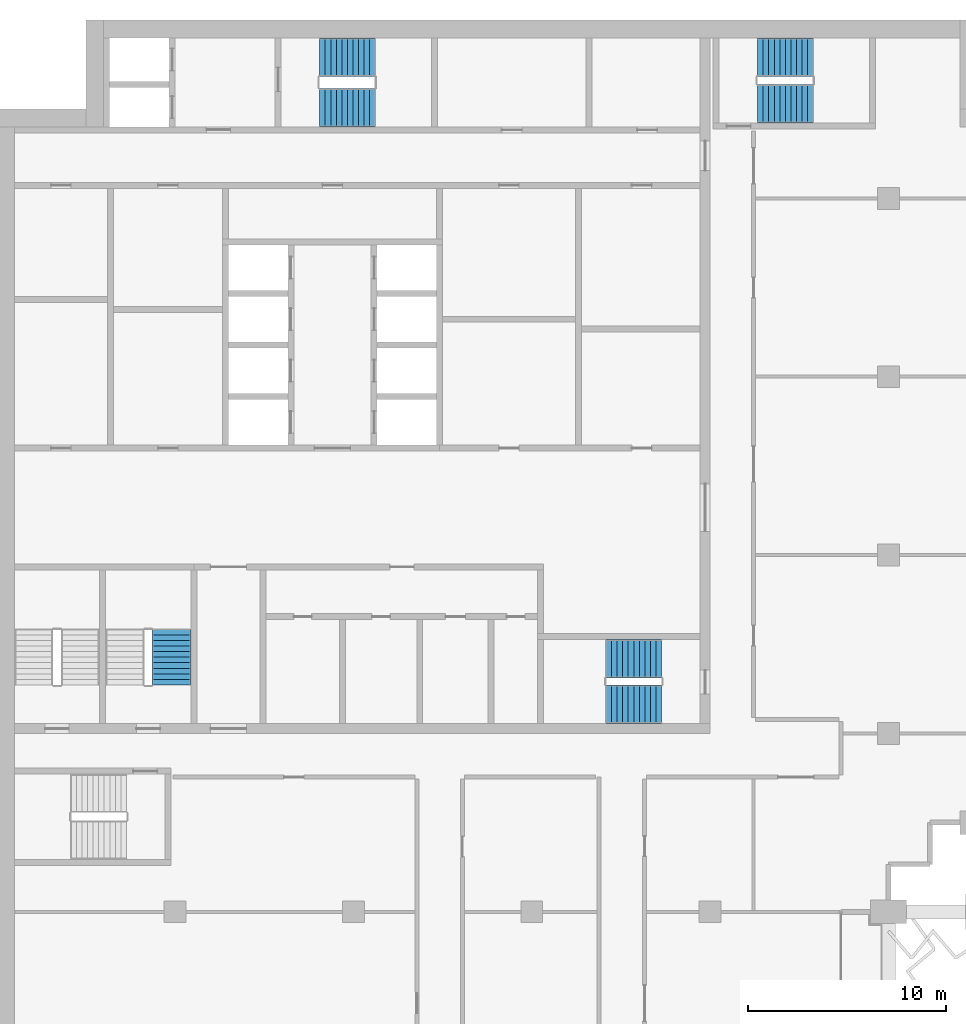
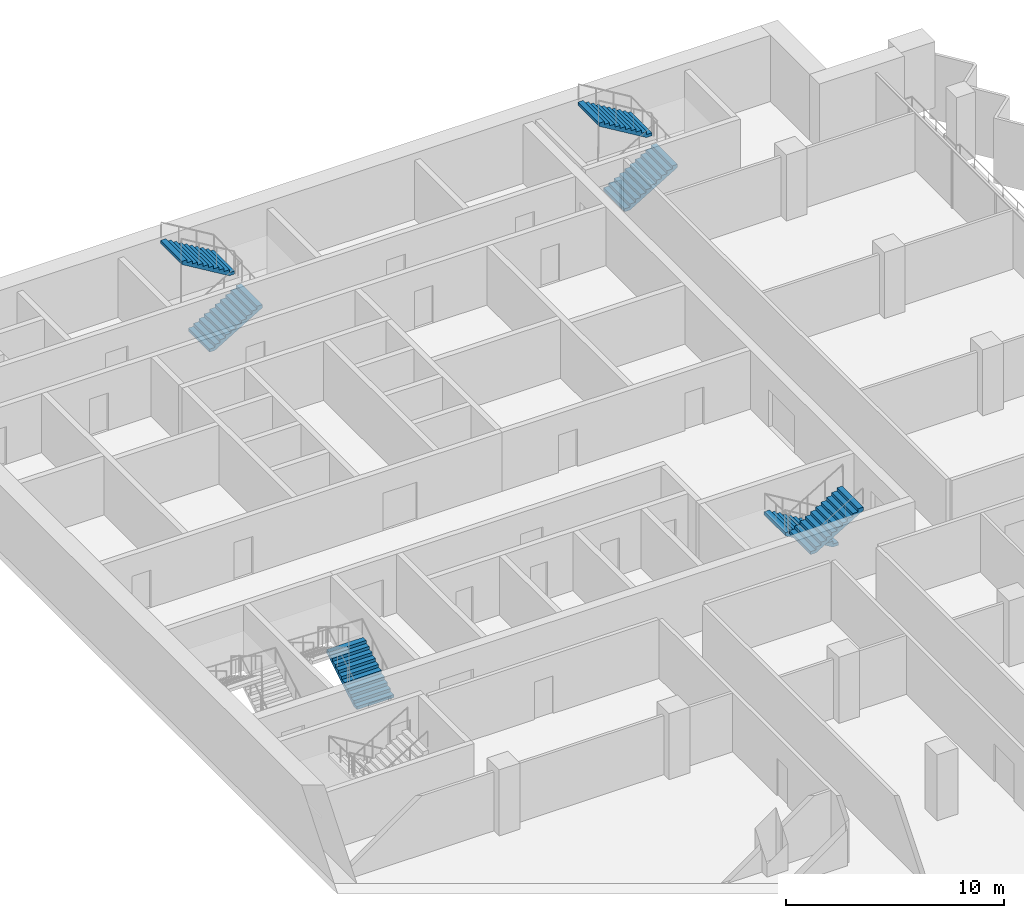
# One storey, part 13 of 17: 7 stair flights, 4 elements without a shape of their own.
"""IFC4 building model written with IfcOpenShell, lengths in metres."""

from ifc_helpers import new_model, si_unit, direction, frame, origin, place, context, subcontext, project, spatial, polyline, outline, extrude, material, type_object, element, aggregate, save


model = new_model("IFC4")

# Units and contexts
model_context = context("Model", 3, precision=1e-05, world=origin(), true_north=direction((0.0, 1.0)))
body_context = subcontext(model_context, "Body", "Model", "MODEL_VIEW")
ifc_project = project(units=[si_unit("LENGTHUNIT", "METRE"), si_unit("AREAUNIT", "SQUARE_METRE"), si_unit("VOLUMEUNIT", "CUBIC_METRE"), si_unit("PLANEANGLEUNIT", "RADIAN"), si_unit("MASSUNIT", "GRAM", prefix="KILO")], contexts=[model_context])

# Site, building, storey
site_placement = place(None, origin())
site = spatial("IfcSite", under=ifc_project, at=site_placement, CompositionType="ELEMENT")
building_placement = place(site_placement, origin())
building = spatial("IfcBuilding", under=site, at=building_placement, Name="Hunhe Ridgeline Campus", CompositionType="ELEMENT")
storey_placement = place(building_placement, frame((0.0, 0.0, 205.0)))
storey = spatial("IfcBuildingStorey", under=building, at=storey_placement, Name="L52", CompositionType="ELEMENT", Elevation=205.0)

# Stair, stair flights
ifc_material = material(Name="Concrete C40", Category="concrete")
stair_type = type_object("IfcStairType", Name="Reinforced concrete dog-leg stair 1950 Concrete C40", PredefinedType="HALF_TURN_STAIR", material=ifc_material)
stair_1_placement = place(storey_placement, origin())
stair_1 = element("IfcStair", 1, at=stair_1_placement, inside=storey, type_object=stair_type, Name="L52 S1", PredefinedType="HALF_TURN_STAIR")
stair_flight_type = type_object("IfcStairFlightType", Name="Reinforced concrete stair flight 1950 Concrete C40", PredefinedType="STRAIGHT", material=ifc_material)
stair_flight_1_placement = place(storey_placement, frame((16.300048828125, 94.574951171875, 0.0), z_axis=(0.0, 0.0, 1.0), x_axis=(1.0, 0.0, 0.0)))
stair_flight_1 = element("IfcStairFlight", 2, at=stair_flight_1_placement, type_object=stair_flight_type, Name="ST1 flight 1", NumberOfRisers=11, NumberOfTreads=10, PredefinedType="STRAIGHT", RiserHeight=0.168181818, TreadLength=0.28, context=body_context, shape_type="SweptSolid", body=[
    extrude(outline(polyline([(0.0, 0.0), (0.0, 0.168212890625), (0.280029296875, 0.168212890625), (0.280029296875, 0.33642578125), (0.56005859375, 0.33642578125), (0.56005859375, 0.504638671875), (0.840087890625, 0.504638671875), (0.840087890625, 0.672607421875), (1.1201171875, 0.672607421875), (1.1201171875, 0.8408203125), (1.39990234375, 0.8408203125), (1.39990234375, 1.009033203125), (1.679931640625, 1.009033203125), (1.679931640625, 1.17724609375), (1.9599609375, 1.17724609375), (1.9599609375, 1.345458984375), (2.239990234375, 1.345458984375), (2.239990234375, 1.513671875), (2.52001953125, 1.513671875), (2.52001953125, 1.681884765625), (2.800048828125, 1.681884765625), (2.800048828125, 1.85009765625), (2.800048828125, 1.5068359375), (0.291015625, 0.0), (0.0, 0.0)])), frame((0.0, 0.97509765625, 0.0), z_axis=(0.0, -1.0, 0.0), x_axis=(1.0, 0.0, 0.0)), (0.0, 0.0, 1.0), 1.949951171875),
    extrude(outline(polyline([(0.030029296875, 0.030029296875), (0.030029296875, 0.13818359375), (0.31005859375, 0.13818359375), (0.31005859375, 0.306396484375), (0.590087890625, 0.306396484375), (0.590087890625, 0.474609375), (0.8701171875, 0.474609375), (0.8701171875, 0.642578125), (1.14990234375, 0.642578125), (1.14990234375, 0.810791015625), (1.429931640625, 0.810791015625), (1.429931640625, 0.97900390625), (1.7099609375, 0.97900390625), (1.7099609375, 1.147216796875), (1.989990234375, 1.147216796875), (1.989990234375, 1.3154296875), (2.27001953125, 1.3154296875), (2.27001953125, 1.483642578125), (2.550048828125, 1.483642578125), (2.550048828125, 1.65185546875), (2.77001953125, 1.65185546875), (2.77001953125, 1.52392578125), (0.28271484375, 0.030029296875), (0.030029296875, 0.030029296875)])), frame((0.0, -0.070068359375, 0.0), z_axis=(0.0, -1.0, 0.0), x_axis=(1.0, 0.0, 0.0)), (0.0, 0.0, 1.0), 0.019775390625),
    extrude(outline(polyline([(0.030029296875, 0.030029296875), (0.030029296875, 0.13818359375), (0.31005859375, 0.13818359375), (0.31005859375, 0.306396484375), (0.590087890625, 0.306396484375), (0.590087890625, 0.474609375), (0.8701171875, 0.474609375), (0.8701171875, 0.642578125), (1.14990234375, 0.642578125), (1.14990234375, 0.810791015625), (1.429931640625, 0.810791015625), (1.429931640625, 0.97900390625), (1.7099609375, 0.97900390625), (1.7099609375, 1.147216796875), (1.989990234375, 1.147216796875), (1.989990234375, 1.3154296875), (2.27001953125, 1.3154296875), (2.27001953125, 1.483642578125), (2.550048828125, 1.483642578125), (2.550048828125, 1.65185546875), (2.77001953125, 1.65185546875), (2.77001953125, 1.52392578125), (0.28271484375, 0.030029296875), (0.030029296875, 0.030029296875)])), frame((0.0, 0.010009765625, 0.0), z_axis=(0.0, -1.0, 0.0), x_axis=(1.0, 0.0, 0.0)), (0.0, 0.0, 1.0), 0.019775390625),
    extrude(outline(polyline([(0.030029296875, 0.030029296875), (0.030029296875, 0.13818359375), (0.31005859375, 0.13818359375), (0.31005859375, 0.306396484375), (0.590087890625, 0.306396484375), (0.590087890625, 0.474609375), (0.8701171875, 0.474609375), (0.8701171875, 0.642578125), (1.14990234375, 0.642578125), (1.14990234375, 0.810791015625), (1.429931640625, 0.810791015625), (1.429931640625, 0.97900390625), (1.7099609375, 0.97900390625), (1.7099609375, 1.147216796875), (1.989990234375, 1.147216796875), (1.989990234375, 1.3154296875), (2.27001953125, 1.3154296875), (2.27001953125, 1.483642578125), (2.550048828125, 1.483642578125), (2.550048828125, 1.65185546875), (2.77001953125, 1.65185546875), (2.77001953125, 1.52392578125), (0.28271484375, 0.030029296875), (0.030029296875, 0.030029296875)])), frame((0.0, 0.090087890625, 0.0), z_axis=(0.0, -1.0, 0.0), x_axis=(1.0, 0.0, 0.0)), (0.0, 0.0, 1.0), 0.019775390625),
])
stair_flight_2_placement = place(storey_placement, frame((19.10009765625, 97.125, 1.85009765625), z_axis=(0.0, 0.0, 1.0), x_axis=(-1.0, 0.0, 0.0)))
stair_flight_2 = element("IfcStairFlight", 3, at=stair_flight_2_placement, type_object=stair_flight_type, Name="ST1 flight 2", NumberOfRisers=11, NumberOfTreads=10, PredefinedType="STRAIGHT", RiserHeight=0.168181818, TreadLength=0.28, context=body_context, shape_type="SweptSolid", body=[
    extrude(outline(polyline([(0.0, 0.0), (0.0, 0.168212890625), (0.280029296875, 0.168212890625), (0.280029296875, 0.33642578125), (0.56005859375, 0.33642578125), (0.56005859375, 0.504638671875), (0.840087890625, 0.504638671875), (0.840087890625, 0.672607421875), (1.1201171875, 0.672607421875), (1.1201171875, 0.8408203125), (1.39990234375, 0.8408203125), (1.39990234375, 1.009033203125), (1.679931640625, 1.009033203125), (1.679931640625, 1.17724609375), (1.9599609375, 1.17724609375), (1.9599609375, 1.345458984375), (2.239990234375, 1.345458984375), (2.239990234375, 1.513671875), (2.52001953125, 1.513671875), (2.52001953125, 1.681884765625), (2.800048828125, 1.681884765625), (2.800048828125, 1.85009765625), (2.800048828125, 1.5068359375), (0.291015625, 0.0), (0.0, 0.0)])), frame((0.0, 0.97509765625, 0.0), z_axis=(0.0, -1.0, 0.0), x_axis=(1.0, 0.0, 0.0)), (0.0, 0.0, 1.0), 1.949951171875),
    extrude(outline(polyline([(0.030029296875, 0.030029296875), (0.030029296875, 0.13818359375), (0.31005859375, 0.13818359375), (0.31005859375, 0.306396484375), (0.590087890625, 0.306396484375), (0.590087890625, 0.474609375), (0.8701171875, 0.474609375), (0.8701171875, 0.642578125), (1.14990234375, 0.642578125), (1.14990234375, 0.810791015625), (1.429931640625, 0.810791015625), (1.429931640625, 0.97900390625), (1.7099609375, 0.97900390625), (1.7099609375, 1.147216796875), (1.989990234375, 1.147216796875), (1.989990234375, 1.3154296875), (2.27001953125, 1.3154296875), (2.27001953125, 1.483642578125), (2.550048828125, 1.483642578125), (2.550048828125, 1.65185546875), (2.77001953125, 1.65185546875), (2.77001953125, 1.52392578125), (0.28271484375, 0.030029296875), (0.030029296875, 0.030029296875)])), frame((0.0, -0.070068359375, 0.0), z_axis=(0.0, -1.0, 0.0), x_axis=(1.0, 0.0, 0.0)), (0.0, 0.0, 1.0), 0.019775390625),
    extrude(outline(polyline([(0.030029296875, 0.030029296875), (0.030029296875, 0.13818359375), (0.31005859375, 0.13818359375), (0.31005859375, 0.306396484375), (0.590087890625, 0.306396484375), (0.590087890625, 0.474609375), (0.8701171875, 0.474609375), (0.8701171875, 0.642578125), (1.14990234375, 0.642578125), (1.14990234375, 0.810791015625), (1.429931640625, 0.810791015625), (1.429931640625, 0.97900390625), (1.7099609375, 0.97900390625), (1.7099609375, 1.147216796875), (1.989990234375, 1.147216796875), (1.989990234375, 1.3154296875), (2.27001953125, 1.3154296875), (2.27001953125, 1.483642578125), (2.550048828125, 1.483642578125), (2.550048828125, 1.65185546875), (2.77001953125, 1.65185546875), (2.77001953125, 1.52392578125), (0.28271484375, 0.030029296875), (0.030029296875, 0.030029296875)])), frame((0.0, 0.010009765625, 0.0), z_axis=(0.0, -1.0, 0.0), x_axis=(1.0, 0.0, 0.0)), (0.0, 0.0, 1.0), 0.019775390625),
    extrude(outline(polyline([(0.030029296875, 0.030029296875), (0.030029296875, 0.13818359375), (0.31005859375, 0.13818359375), (0.31005859375, 0.306396484375), (0.590087890625, 0.306396484375), (0.590087890625, 0.474609375), (0.8701171875, 0.474609375), (0.8701171875, 0.642578125), (1.14990234375, 0.642578125), (1.14990234375, 0.810791015625), (1.429931640625, 0.810791015625), (1.429931640625, 0.97900390625), (1.7099609375, 0.97900390625), (1.7099609375, 1.147216796875), (1.989990234375, 1.147216796875), (1.989990234375, 1.3154296875), (2.27001953125, 1.3154296875), (2.27001953125, 1.483642578125), (2.550048828125, 1.483642578125), (2.550048828125, 1.65185546875), (2.77001953125, 1.65185546875), (2.77001953125, 1.52392578125), (0.28271484375, 0.030029296875), (0.030029296875, 0.030029296875)])), frame((0.0, 0.090087890625, 0.0), z_axis=(0.0, -1.0, 0.0), x_axis=(1.0, 0.0, 0.0)), (0.0, 0.0, 1.0), 0.019775390625),
])
aggregate(stair_1, [stair_flight_1, stair_flight_2])

stair_2_placement = place(storey_placement, origin())
stair_2 = element("IfcStair", 4, at=stair_2_placement, inside=storey, type_object=stair_type, Name="L52 S2", PredefinedType="HALF_TURN_STAIR")
stair_flight_3_placement = place(storey_placement, frame((33.550048828125, 66.77490234375, 0.0), z_axis=(0.0, 0.0, 1.0), x_axis=(-1.0, 0.0, 0.0)))
stair_flight_3 = element("IfcStairFlight", 5, at=stair_flight_3_placement, type_object=stair_flight_type, Name="ST2 flight 1", NumberOfRisers=11, NumberOfTreads=10, PredefinedType="STRAIGHT", RiserHeight=0.168181818, TreadLength=0.28, context=body_context, shape_type="SweptSolid", body=[
    extrude(outline(polyline([(0.0, 0.0), (0.0, 0.168212890625), (0.280029296875, 0.168212890625), (0.280029296875, 0.33642578125), (0.56005859375, 0.33642578125), (0.56005859375, 0.504638671875), (0.840087890625, 0.504638671875), (0.840087890625, 0.672607421875), (1.1201171875, 0.672607421875), (1.1201171875, 0.8408203125), (1.39990234375, 0.8408203125), (1.39990234375, 1.009033203125), (1.679931640625, 1.009033203125), (1.679931640625, 1.17724609375), (1.9599609375, 1.17724609375), (1.9599609375, 1.345458984375), (2.239990234375, 1.345458984375), (2.239990234375, 1.513671875), (2.52001953125, 1.513671875), (2.52001953125, 1.681884765625), (2.800048828125, 1.681884765625), (2.800048828125, 1.85009765625), (2.800048828125, 1.5068359375), (0.291015625, 0.0), (0.0, 0.0)])), frame((0.0, 0.97509765625, 0.0), z_axis=(0.0, -1.0, 0.0), x_axis=(1.0, 0.0, 0.0)), (0.0, 0.0, 1.0), 1.949951171875),
    extrude(outline(polyline([(0.030029296875, 0.030029296875), (0.030029296875, 0.13818359375), (0.31005859375, 0.13818359375), (0.31005859375, 0.306396484375), (0.590087890625, 0.306396484375), (0.590087890625, 0.474609375), (0.8701171875, 0.474609375), (0.8701171875, 0.642578125), (1.14990234375, 0.642578125), (1.14990234375, 0.810791015625), (1.429931640625, 0.810791015625), (1.429931640625, 0.97900390625), (1.7099609375, 0.97900390625), (1.7099609375, 1.147216796875), (1.989990234375, 1.147216796875), (1.989990234375, 1.3154296875), (2.27001953125, 1.3154296875), (2.27001953125, 1.483642578125), (2.550048828125, 1.483642578125), (2.550048828125, 1.65185546875), (2.77001953125, 1.65185546875), (2.77001953125, 1.52392578125), (0.28271484375, 0.030029296875), (0.030029296875, 0.030029296875)])), frame((0.0, -0.070068359375, 0.0), z_axis=(0.0, -1.0, 0.0), x_axis=(1.0, 0.0, 0.0)), (0.0, 0.0, 1.0), 0.019775390625),
    extrude(outline(polyline([(0.030029296875, 0.030029296875), (0.030029296875, 0.13818359375), (0.31005859375, 0.13818359375), (0.31005859375, 0.306396484375), (0.590087890625, 0.306396484375), (0.590087890625, 0.474609375), (0.8701171875, 0.474609375), (0.8701171875, 0.642578125), (1.14990234375, 0.642578125), (1.14990234375, 0.810791015625), (1.429931640625, 0.810791015625), (1.429931640625, 0.97900390625), (1.7099609375, 0.97900390625), (1.7099609375, 1.147216796875), (1.989990234375, 1.147216796875), (1.989990234375, 1.3154296875), (2.27001953125, 1.3154296875), (2.27001953125, 1.483642578125), (2.550048828125, 1.483642578125), (2.550048828125, 1.65185546875), (2.77001953125, 1.65185546875), (2.77001953125, 1.52392578125), (0.28271484375, 0.030029296875), (0.030029296875, 0.030029296875)])), frame((0.0, 0.010009765625, 0.0), z_axis=(0.0, -1.0, 0.0), x_axis=(1.0, 0.0, 0.0)), (0.0, 0.0, 1.0), 0.019775390625),
    extrude(outline(polyline([(0.030029296875, 0.030029296875), (0.030029296875, 0.13818359375), (0.31005859375, 0.13818359375), (0.31005859375, 0.306396484375), (0.590087890625, 0.306396484375), (0.590087890625, 0.474609375), (0.8701171875, 0.474609375), (0.8701171875, 0.642578125), (1.14990234375, 0.642578125), (1.14990234375, 0.810791015625), (1.429931640625, 0.810791015625), (1.429931640625, 0.97900390625), (1.7099609375, 0.97900390625), (1.7099609375, 1.147216796875), (1.989990234375, 1.147216796875), (1.989990234375, 1.3154296875), (2.27001953125, 1.3154296875), (2.27001953125, 1.483642578125), (2.550048828125, 1.483642578125), (2.550048828125, 1.65185546875), (2.77001953125, 1.65185546875), (2.77001953125, 1.52392578125), (0.28271484375, 0.030029296875), (0.030029296875, 0.030029296875)])), frame((0.0, 0.090087890625, 0.0), z_axis=(0.0, -1.0, 0.0), x_axis=(1.0, 0.0, 0.0)), (0.0, 0.0, 1.0), 0.019775390625),
])
stair_flight_4_placement = place(storey_placement, frame((30.75, 64.47509765625, 1.85009765625), z_axis=(0.0, 0.0, 1.0), x_axis=(1.0, 0.0, 0.0)))
stair_flight_4 = element("IfcStairFlight", 6, at=stair_flight_4_placement, type_object=stair_flight_type, Name="ST2 flight 2", NumberOfRisers=11, NumberOfTreads=10, PredefinedType="STRAIGHT", RiserHeight=0.168181818, TreadLength=0.28, context=body_context, shape_type="SweptSolid", body=[
    extrude(outline(polyline([(0.0, 0.0), (0.0, 0.168212890625), (0.280029296875, 0.168212890625), (0.280029296875, 0.33642578125), (0.56005859375, 0.33642578125), (0.56005859375, 0.504638671875), (0.840087890625, 0.504638671875), (0.840087890625, 0.672607421875), (1.1201171875, 0.672607421875), (1.1201171875, 0.8408203125), (1.39990234375, 0.8408203125), (1.39990234375, 1.009033203125), (1.679931640625, 1.009033203125), (1.679931640625, 1.17724609375), (1.9599609375, 1.17724609375), (1.9599609375, 1.345458984375), (2.239990234375, 1.345458984375), (2.239990234375, 1.513671875), (2.52001953125, 1.513671875), (2.52001953125, 1.681884765625), (2.800048828125, 1.681884765625), (2.800048828125, 1.85009765625), (2.800048828125, 1.5068359375), (0.291015625, 0.0), (0.0, 0.0)])), frame((0.0, 0.97509765625, 0.0), z_axis=(0.0, -1.0, 0.0), x_axis=(1.0, 0.0, 0.0)), (0.0, 0.0, 1.0), 1.949951171875),
    extrude(outline(polyline([(0.030029296875, 0.030029296875), (0.030029296875, 0.13818359375), (0.31005859375, 0.13818359375), (0.31005859375, 0.306396484375), (0.590087890625, 0.306396484375), (0.590087890625, 0.474609375), (0.8701171875, 0.474609375), (0.8701171875, 0.642578125), (1.14990234375, 0.642578125), (1.14990234375, 0.810791015625), (1.429931640625, 0.810791015625), (1.429931640625, 0.97900390625), (1.7099609375, 0.97900390625), (1.7099609375, 1.147216796875), (1.989990234375, 1.147216796875), (1.989990234375, 1.3154296875), (2.27001953125, 1.3154296875), (2.27001953125, 1.483642578125), (2.550048828125, 1.483642578125), (2.550048828125, 1.65185546875), (2.77001953125, 1.65185546875), (2.77001953125, 1.52392578125), (0.28271484375, 0.030029296875), (0.030029296875, 0.030029296875)])), frame((0.0, -0.070068359375, 0.0), z_axis=(0.0, -1.0, 0.0), x_axis=(1.0, 0.0, 0.0)), (0.0, 0.0, 1.0), 0.019775390625),
    extrude(outline(polyline([(0.030029296875, 0.030029296875), (0.030029296875, 0.13818359375), (0.31005859375, 0.13818359375), (0.31005859375, 0.306396484375), (0.590087890625, 0.306396484375), (0.590087890625, 0.474609375), (0.8701171875, 0.474609375), (0.8701171875, 0.642578125), (1.14990234375, 0.642578125), (1.14990234375, 0.810791015625), (1.429931640625, 0.810791015625), (1.429931640625, 0.97900390625), (1.7099609375, 0.97900390625), (1.7099609375, 1.147216796875), (1.989990234375, 1.147216796875), (1.989990234375, 1.3154296875), (2.27001953125, 1.3154296875), (2.27001953125, 1.483642578125), (2.550048828125, 1.483642578125), (2.550048828125, 1.65185546875), (2.77001953125, 1.65185546875), (2.77001953125, 1.52392578125), (0.28271484375, 0.030029296875), (0.030029296875, 0.030029296875)])), frame((0.0, 0.010009765625, 0.0), z_axis=(0.0, -1.0, 0.0), x_axis=(1.0, 0.0, 0.0)), (0.0, 0.0, 1.0), 0.019775390625),
    extrude(outline(polyline([(0.030029296875, 0.030029296875), (0.030029296875, 0.13818359375), (0.31005859375, 0.13818359375), (0.31005859375, 0.306396484375), (0.590087890625, 0.306396484375), (0.590087890625, 0.474609375), (0.8701171875, 0.474609375), (0.8701171875, 0.642578125), (1.14990234375, 0.642578125), (1.14990234375, 0.810791015625), (1.429931640625, 0.810791015625), (1.429931640625, 0.97900390625), (1.7099609375, 0.97900390625), (1.7099609375, 1.147216796875), (1.989990234375, 1.147216796875), (1.989990234375, 1.3154296875), (2.27001953125, 1.3154296875), (2.27001953125, 1.483642578125), (2.550048828125, 1.483642578125), (2.550048828125, 1.65185546875), (2.77001953125, 1.65185546875), (2.77001953125, 1.52392578125), (0.28271484375, 0.030029296875), (0.030029296875, 0.030029296875)])), frame((0.0, 0.090087890625, 0.0), z_axis=(0.0, -1.0, 0.0), x_axis=(1.0, 0.0, 0.0)), (0.0, 0.0, 1.0), 0.019775390625),
])
aggregate(stair_2, [stair_flight_3, stair_flight_4])

# Stair, stair flight
stair_3_placement = place(storey_placement, origin())
stair_3 = element("IfcStair", 7, at=stair_3_placement, inside=storey, type_object=stair_type, Name="L52 S4", PredefinedType="HALF_TURN_STAIR")
stair_flight_5_placement = place(storey_placement, frame((8.824951171875, 65.449951171875, 0.0), z_axis=(0.0, 0.0, 1.0), x_axis=(0.0, 1.0, 0.0)))
stair_flight_5 = element("IfcStairFlight", 8, at=stair_flight_5_placement, type_object=stair_flight_type, Name="ST4 flight 1", NumberOfRisers=11, NumberOfTreads=10, PredefinedType="STRAIGHT", RiserHeight=0.168181818, TreadLength=0.28, context=body_context, shape_type="SweptSolid", body=[
    extrude(outline(polyline([(0.0, 0.0), (0.0, 0.168212890625), (0.280029296875, 0.168212890625), (0.280029296875, 0.33642578125), (0.56005859375, 0.33642578125), (0.56005859375, 0.504638671875), (0.840087890625, 0.504638671875), (0.840087890625, 0.672607421875), (1.1201171875, 0.672607421875), (1.1201171875, 0.8408203125), (1.39990234375, 0.8408203125), (1.39990234375, 1.009033203125), (1.679931640625, 1.009033203125), (1.679931640625, 1.17724609375), (1.9599609375, 1.17724609375), (1.9599609375, 1.345458984375), (2.239990234375, 1.345458984375), (2.239990234375, 1.513671875), (2.52001953125, 1.513671875), (2.52001953125, 1.681884765625), (2.800048828125, 1.681884765625), (2.800048828125, 1.85009765625), (2.800048828125, 1.5068359375), (0.291015625, 0.0), (0.0, 0.0)])), frame((0.0, 0.97509765625, 0.0), z_axis=(0.0, -1.0, 0.0), x_axis=(1.0, 0.0, 0.0)), (0.0, 0.0, 1.0), 1.949951171875),
    extrude(outline(polyline([(0.030029296875, 0.030029296875), (0.030029296875, 0.13818359375), (0.31005859375, 0.13818359375), (0.31005859375, 0.306396484375), (0.590087890625, 0.306396484375), (0.590087890625, 0.474609375), (0.8701171875, 0.474609375), (0.8701171875, 0.642578125), (1.14990234375, 0.642578125), (1.14990234375, 0.810791015625), (1.429931640625, 0.810791015625), (1.429931640625, 0.97900390625), (1.7099609375, 0.97900390625), (1.7099609375, 1.147216796875), (1.989990234375, 1.147216796875), (1.989990234375, 1.3154296875), (2.27001953125, 1.3154296875), (2.27001953125, 1.483642578125), (2.550048828125, 1.483642578125), (2.550048828125, 1.65185546875), (2.77001953125, 1.65185546875), (2.77001953125, 1.52392578125), (0.28271484375, 0.030029296875), (0.030029296875, 0.030029296875)])), frame((0.0, -0.070068359375, 0.0), z_axis=(0.0, -1.0, 0.0), x_axis=(1.0, 0.0, 0.0)), (0.0, 0.0, 1.0), 0.019775390625),
    extrude(outline(polyline([(0.030029296875, 0.030029296875), (0.030029296875, 0.13818359375), (0.31005859375, 0.13818359375), (0.31005859375, 0.306396484375), (0.590087890625, 0.306396484375), (0.590087890625, 0.474609375), (0.8701171875, 0.474609375), (0.8701171875, 0.642578125), (1.14990234375, 0.642578125), (1.14990234375, 0.810791015625), (1.429931640625, 0.810791015625), (1.429931640625, 0.97900390625), (1.7099609375, 0.97900390625), (1.7099609375, 1.147216796875), (1.989990234375, 1.147216796875), (1.989990234375, 1.3154296875), (2.27001953125, 1.3154296875), (2.27001953125, 1.483642578125), (2.550048828125, 1.483642578125), (2.550048828125, 1.65185546875), (2.77001953125, 1.65185546875), (2.77001953125, 1.52392578125), (0.28271484375, 0.030029296875), (0.030029296875, 0.030029296875)])), frame((0.0, 0.010009765625, 0.0), z_axis=(0.0, -1.0, 0.0), x_axis=(1.0, 0.0, 0.0)), (0.0, 0.0, 1.0), 0.019775390625),
    extrude(outline(polyline([(0.030029296875, 0.030029296875), (0.030029296875, 0.13818359375), (0.31005859375, 0.13818359375), (0.31005859375, 0.306396484375), (0.590087890625, 0.306396484375), (0.590087890625, 0.474609375), (0.8701171875, 0.474609375), (0.8701171875, 0.642578125), (1.14990234375, 0.642578125), (1.14990234375, 0.810791015625), (1.429931640625, 0.810791015625), (1.429931640625, 0.97900390625), (1.7099609375, 0.97900390625), (1.7099609375, 1.147216796875), (1.989990234375, 1.147216796875), (1.989990234375, 1.3154296875), (2.27001953125, 1.3154296875), (2.27001953125, 1.483642578125), (2.550048828125, 1.483642578125), (2.550048828125, 1.65185546875), (2.77001953125, 1.65185546875), (2.77001953125, 1.52392578125), (0.28271484375, 0.030029296875), (0.030029296875, 0.030029296875)])), frame((0.0, 0.090087890625, 0.0), z_axis=(0.0, -1.0, 0.0), x_axis=(1.0, 0.0, 0.0)), (0.0, 0.0, 1.0), 0.019775390625),
])
aggregate(stair_3, [stair_flight_5])

# Stair, stair flights
stair_4_placement = place(storey_placement, origin())
stair_4 = element("IfcStair", 9, at=stair_4_placement, inside=storey, type_object=stair_type, Name="L52 E1", PredefinedType="HALF_TURN_STAIR")
stair_flight_6_placement = place(storey_placement, frame((38.39990234375, 94.77490234375, 0.0), z_axis=(0.0, 0.0, 1.0), x_axis=(1.0, 0.0, 0.0)))
stair_flight_6 = element("IfcStairFlight", 10, at=stair_flight_6_placement, type_object=stair_flight_type, Name="ST5 flight 1", NumberOfRisers=11, NumberOfTreads=10, PredefinedType="STRAIGHT", RiserHeight=0.168181818, TreadLength=0.28, context=body_context, shape_type="SweptSolid", body=[
    extrude(outline(polyline([(0.0, 0.0), (0.0, 0.168212890625), (0.280029296875, 0.168212890625), (0.280029296875, 0.33642578125), (0.56005859375, 0.33642578125), (0.56005859375, 0.504638671875), (0.840087890625, 0.504638671875), (0.840087890625, 0.672607421875), (1.1201171875, 0.672607421875), (1.1201171875, 0.8408203125), (1.39990234375, 0.8408203125), (1.39990234375, 1.009033203125), (1.679931640625, 1.009033203125), (1.679931640625, 1.17724609375), (1.9599609375, 1.17724609375), (1.9599609375, 1.345458984375), (2.239990234375, 1.345458984375), (2.239990234375, 1.513671875), (2.52001953125, 1.513671875), (2.52001953125, 1.681884765625), (2.800048828125, 1.681884765625), (2.800048828125, 1.85009765625), (2.800048828125, 1.5068359375), (0.291015625, 0.0), (0.0, 0.0)])), frame((0.0, 0.97509765625, 0.0), z_axis=(0.0, -1.0, 0.0), x_axis=(1.0, 0.0, 0.0)), (0.0, 0.0, 1.0), 1.949951171875),
    extrude(outline(polyline([(0.030029296875, 0.030029296875), (0.030029296875, 0.13818359375), (0.31005859375, 0.13818359375), (0.31005859375, 0.306396484375), (0.590087890625, 0.306396484375), (0.590087890625, 0.474609375), (0.8701171875, 0.474609375), (0.8701171875, 0.642578125), (1.14990234375, 0.642578125), (1.14990234375, 0.810791015625), (1.429931640625, 0.810791015625), (1.429931640625, 0.97900390625), (1.7099609375, 0.97900390625), (1.7099609375, 1.147216796875), (1.989990234375, 1.147216796875), (1.989990234375, 1.3154296875), (2.27001953125, 1.3154296875), (2.27001953125, 1.483642578125), (2.550048828125, 1.483642578125), (2.550048828125, 1.65185546875), (2.77001953125, 1.65185546875), (2.77001953125, 1.52392578125), (0.28271484375, 0.030029296875), (0.030029296875, 0.030029296875)])), frame((0.0, -0.070068359375, 0.0), z_axis=(0.0, -1.0, 0.0), x_axis=(1.0, 0.0, 0.0)), (0.0, 0.0, 1.0), 0.019775390625),
    extrude(outline(polyline([(0.030029296875, 0.030029296875), (0.030029296875, 0.13818359375), (0.31005859375, 0.13818359375), (0.31005859375, 0.306396484375), (0.590087890625, 0.306396484375), (0.590087890625, 0.474609375), (0.8701171875, 0.474609375), (0.8701171875, 0.642578125), (1.14990234375, 0.642578125), (1.14990234375, 0.810791015625), (1.429931640625, 0.810791015625), (1.429931640625, 0.97900390625), (1.7099609375, 0.97900390625), (1.7099609375, 1.147216796875), (1.989990234375, 1.147216796875), (1.989990234375, 1.3154296875), (2.27001953125, 1.3154296875), (2.27001953125, 1.483642578125), (2.550048828125, 1.483642578125), (2.550048828125, 1.65185546875), (2.77001953125, 1.65185546875), (2.77001953125, 1.52392578125), (0.28271484375, 0.030029296875), (0.030029296875, 0.030029296875)])), frame((0.0, 0.010009765625, 0.0), z_axis=(0.0, -1.0, 0.0), x_axis=(1.0, 0.0, 0.0)), (0.0, 0.0, 1.0), 0.019775390625),
    extrude(outline(polyline([(0.030029296875, 0.030029296875), (0.030029296875, 0.13818359375), (0.31005859375, 0.13818359375), (0.31005859375, 0.306396484375), (0.590087890625, 0.306396484375), (0.590087890625, 0.474609375), (0.8701171875, 0.474609375), (0.8701171875, 0.642578125), (1.14990234375, 0.642578125), (1.14990234375, 0.810791015625), (1.429931640625, 0.810791015625), (1.429931640625, 0.97900390625), (1.7099609375, 0.97900390625), (1.7099609375, 1.147216796875), (1.989990234375, 1.147216796875), (1.989990234375, 1.3154296875), (2.27001953125, 1.3154296875), (2.27001953125, 1.483642578125), (2.550048828125, 1.483642578125), (2.550048828125, 1.65185546875), (2.77001953125, 1.65185546875), (2.77001953125, 1.52392578125), (0.28271484375, 0.030029296875), (0.030029296875, 0.030029296875)])), frame((0.0, 0.090087890625, 0.0), z_axis=(0.0, -1.0, 0.0), x_axis=(1.0, 0.0, 0.0)), (0.0, 0.0, 1.0), 0.019775390625),
])
stair_flight_7_placement = place(storey_placement, frame((41.199951171875, 97.125, 1.85009765625), z_axis=(0.0, 0.0, 1.0), x_axis=(-1.0, 0.0, 0.0)))
stair_flight_7 = element("IfcStairFlight", 11, at=stair_flight_7_placement, type_object=stair_flight_type, Name="ST5 flight 2", NumberOfRisers=11, NumberOfTreads=10, PredefinedType="STRAIGHT", RiserHeight=0.168181818, TreadLength=0.28, context=body_context, shape_type="SweptSolid", body=[
    extrude(outline(polyline([(0.0, 0.0), (0.0, 0.168212890625), (0.280029296875, 0.168212890625), (0.280029296875, 0.33642578125), (0.56005859375, 0.33642578125), (0.56005859375, 0.504638671875), (0.840087890625, 0.504638671875), (0.840087890625, 0.672607421875), (1.1201171875, 0.672607421875), (1.1201171875, 0.8408203125), (1.39990234375, 0.8408203125), (1.39990234375, 1.009033203125), (1.679931640625, 1.009033203125), (1.679931640625, 1.17724609375), (1.9599609375, 1.17724609375), (1.9599609375, 1.345458984375), (2.239990234375, 1.345458984375), (2.239990234375, 1.513671875), (2.52001953125, 1.513671875), (2.52001953125, 1.681884765625), (2.800048828125, 1.681884765625), (2.800048828125, 1.85009765625), (2.800048828125, 1.5068359375), (0.291015625, 0.0), (0.0, 0.0)])), frame((0.0, 0.97509765625, 0.0), z_axis=(0.0, -1.0, 0.0), x_axis=(1.0, 0.0, 0.0)), (0.0, 0.0, 1.0), 1.949951171875),
    extrude(outline(polyline([(0.030029296875, 0.030029296875), (0.030029296875, 0.13818359375), (0.31005859375, 0.13818359375), (0.31005859375, 0.306396484375), (0.590087890625, 0.306396484375), (0.590087890625, 0.474609375), (0.8701171875, 0.474609375), (0.8701171875, 0.642578125), (1.14990234375, 0.642578125), (1.14990234375, 0.810791015625), (1.429931640625, 0.810791015625), (1.429931640625, 0.97900390625), (1.7099609375, 0.97900390625), (1.7099609375, 1.147216796875), (1.989990234375, 1.147216796875), (1.989990234375, 1.3154296875), (2.27001953125, 1.3154296875), (2.27001953125, 1.483642578125), (2.550048828125, 1.483642578125), (2.550048828125, 1.65185546875), (2.77001953125, 1.65185546875), (2.77001953125, 1.52392578125), (0.28271484375, 0.030029296875), (0.030029296875, 0.030029296875)])), frame((0.0, -0.070068359375, 0.0), z_axis=(0.0, -1.0, 0.0), x_axis=(1.0, 0.0, 0.0)), (0.0, 0.0, 1.0), 0.019775390625),
    extrude(outline(polyline([(0.030029296875, 0.030029296875), (0.030029296875, 0.13818359375), (0.31005859375, 0.13818359375), (0.31005859375, 0.306396484375), (0.590087890625, 0.306396484375), (0.590087890625, 0.474609375), (0.8701171875, 0.474609375), (0.8701171875, 0.642578125), (1.14990234375, 0.642578125), (1.14990234375, 0.810791015625), (1.429931640625, 0.810791015625), (1.429931640625, 0.97900390625), (1.7099609375, 0.97900390625), (1.7099609375, 1.147216796875), (1.989990234375, 1.147216796875), (1.989990234375, 1.3154296875), (2.27001953125, 1.3154296875), (2.27001953125, 1.483642578125), (2.550048828125, 1.483642578125), (2.550048828125, 1.65185546875), (2.77001953125, 1.65185546875), (2.77001953125, 1.52392578125), (0.28271484375, 0.030029296875), (0.030029296875, 0.030029296875)])), frame((0.0, 0.010009765625, 0.0), z_axis=(0.0, -1.0, 0.0), x_axis=(1.0, 0.0, 0.0)), (0.0, 0.0, 1.0), 0.019775390625),
    extrude(outline(polyline([(0.030029296875, 0.030029296875), (0.030029296875, 0.13818359375), (0.31005859375, 0.13818359375), (0.31005859375, 0.306396484375), (0.590087890625, 0.306396484375), (0.590087890625, 0.474609375), (0.8701171875, 0.474609375), (0.8701171875, 0.642578125), (1.14990234375, 0.642578125), (1.14990234375, 0.810791015625), (1.429931640625, 0.810791015625), (1.429931640625, 0.97900390625), (1.7099609375, 0.97900390625), (1.7099609375, 1.147216796875), (1.989990234375, 1.147216796875), (1.989990234375, 1.3154296875), (2.27001953125, 1.3154296875), (2.27001953125, 1.483642578125), (2.550048828125, 1.483642578125), (2.550048828125, 1.65185546875), (2.77001953125, 1.65185546875), (2.77001953125, 1.52392578125), (0.28271484375, 0.030029296875), (0.030029296875, 0.030029296875)])), frame((0.0, 0.090087890625, 0.0), z_axis=(0.0, -1.0, 0.0), x_axis=(1.0, 0.0, 0.0)), (0.0, 0.0, 1.0), 0.019775390625),
])
aggregate(stair_4, [stair_flight_6, stair_flight_7])

save(model, "model.ifc")
